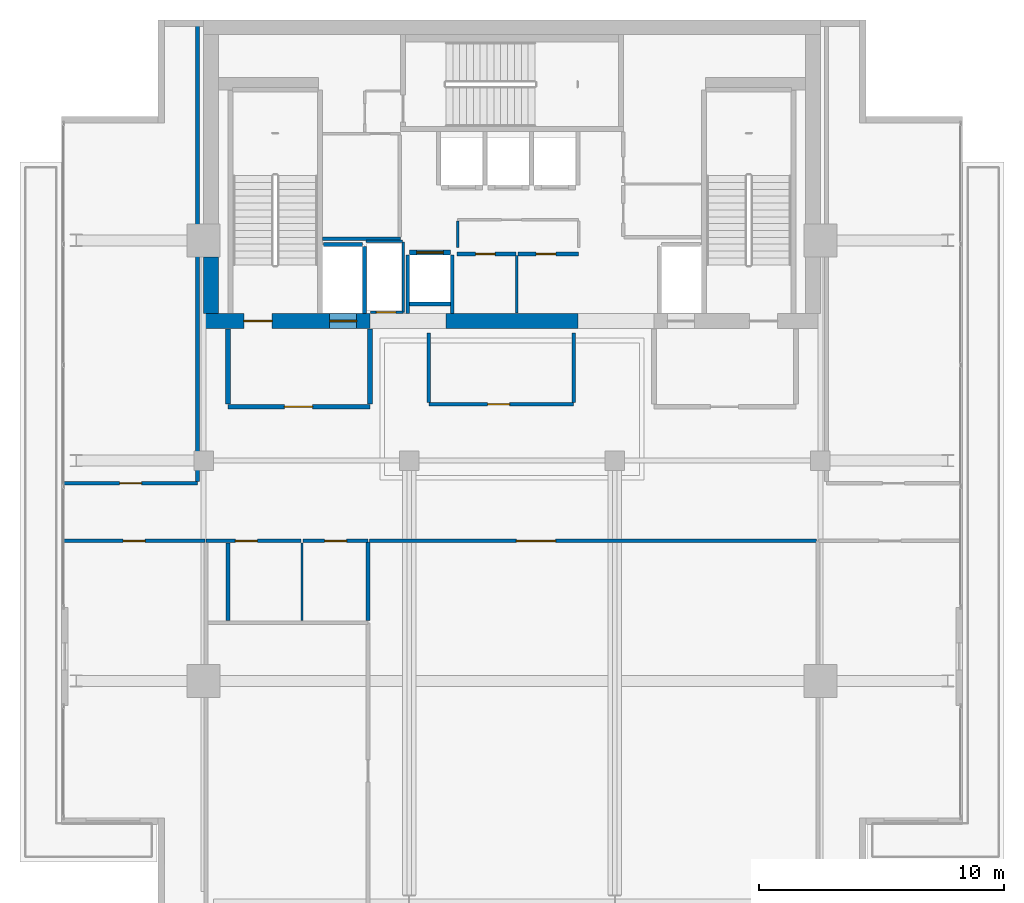
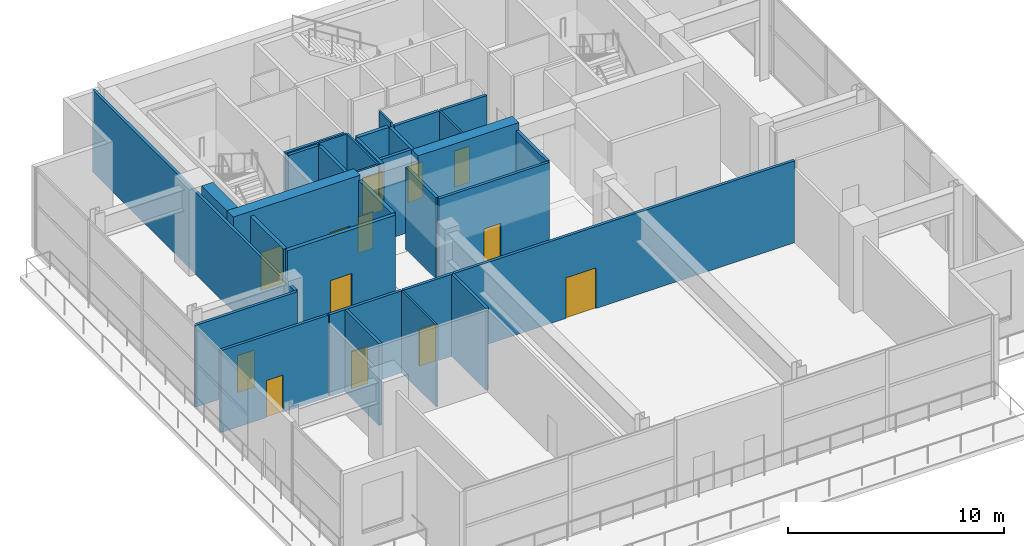
# One storey, part 16 of 22: 32 walls, 13 doors, 13 openings.
"""IFC4 building model written with IfcOpenShell, lengths in metres."""

from ifc_helpers import new_model, si_unit, direction, frame, frame_2d, origin, place, context, subcontext, project, spatial, rectangle, extrude, material, layer, layer_set, type_object, element, fill, save


model = new_model("IFC4")

# Units and contexts
model_context = context("Model", 3, precision=1e-05, world=origin(), true_north=direction((0.0, 1.0)))
body_context = subcontext(model_context, "Body", "Model", "MODEL_VIEW")
ifc_project = project(units=[si_unit("LENGTHUNIT", "METRE"), si_unit("AREAUNIT", "SQUARE_METRE"), si_unit("VOLUMEUNIT", "CUBIC_METRE"), si_unit("PLANEANGLEUNIT", "RADIAN"), si_unit("MASSUNIT", "GRAM", prefix="KILO")], contexts=[model_context])

# Site, building, storey
site_placement = place(None, origin())
site = spatial("IfcSite", under=ifc_project, at=site_placement, CompositionType="ELEMENT")
building_placement = place(site_placement, origin())
building = spatial("IfcBuilding", under=site, at=building_placement, Name="Maruvema Waterfront Hotel and Observation Tower", CompositionType="ELEMENT")
storey_placement = place(building_placement, frame((0.0, 0.0, 354.199951171875)))
storey = spatial("IfcBuildingStorey", under=building, at=storey_placement, Name="L87", CompositionType="ELEMENT", Elevation=354.199951171875)

# Wall, opening, door
ifc_material_1 = material(Name="Twin-stud acoustic gypsum drywall", Category="gypsum")
ifc_layer_1 = layer(ifc_material_1, 0.14990234375, Name="Acoustic Corridor and Suite Demising Wall 150 mm")
ifc_layer_set_1 = layer_set([ifc_layer_1], Name="Twin-stud acoustic gypsum drywall")
wall_type_1 = type_object("IfcWallType", Name="Acoustic Corridor and Suite Demising Wall 150 mm", PredefinedType="PARTITIONING", material=ifc_layer_set_1)
wall_1_placement = place(storey_placement, frame((35.56005859375, 44.43994140625, 0.0), z_axis=(0.0, 0.0, 1.0), x_axis=(1.0, 0.0, 0.0)))
wall_1 = element("IfcWall", 1, at=wall_1_placement, inside=storey, type_object=wall_type_1, Name="L87 L87 Core AV Wall 013", PredefinedType="PARTITIONING", context=body_context, shape_type="SweptSolid", body=[
    extrude(rectangle(XDim=2.39990234375, YDim=0.14990234375, at=frame_2d((1.199951171875, 0.0))), origin(), (0.0, 0.0, 1.0), 4.64013671875),
])
opening_1_placement = place(wall_1_placement, frame((0.75, 0.0, 0.0)))
opening_1 = element("IfcOpeningElement", 2, at=opening_1_placement, cuts=wall_1, Name="Opening DR-080", PredefinedType="OPENING", context=body_context, shape_type="SweptSolid", body=[
    extrude(rectangle(XDim=0.800048828125, YDim=2.050048828125, at=frame_2d((0.39990234375, 1.02490234375))), frame((0.0, 0.0849609375, 0.0), z_axis=(0.0, -1.0, 0.0), x_axis=(1.0, 0.0, 0.0)), (0.0, 0.0, 1.0), 0.169921875),
])
ifc_material_2 = material(Name="Powder-coated steel access leaf", Category="steel")
door_type_1 = type_object("IfcDoorType", Name="Riser and Service Cupboard Door 800x2050 mm", OperationType="NOTDEFINED", PredefinedType="DOOR", material=ifc_material_2)
door_1_placement = place(opening_1_placement, origin())
door_1 = element("IfcDoor", 3, at=door_1_placement, inside=storey, type_object=door_type_1, Name="L87 AV Closet Door", OperationType="SINGLE_SWING_RIGHT", OverallHeight=2.050048828125, OverallWidth=0.800048828125, PredefinedType="DOOR", context=body_context, shape_type="SweptSolid", body=[
    extrude(rectangle(XDim=0.800048828125, YDim=2.050048828125, at=frame_2d((0.39990234375, 1.02490234375))), frame((0.0, 0.02490234375, 0.0), z_axis=(0.0, -1.0, 0.0), x_axis=(1.0, 0.0, 0.0)), (0.0, 0.0, 1.0), 0.050048828125),
])
fill(opening_1, door_1)

wall_2_placement = place(storey_placement, frame((38.0400390625, 44.43994140625, 0.0), z_axis=(0.0, 0.0, 1.0), x_axis=(1.0, 0.0, 0.0)))
wall_2 = element("IfcWall", 4, at=wall_2_placement, inside=storey, type_object=wall_type_1, Name="L87 L87 Core Docent Wall 014", PredefinedType="PARTITIONING", context=body_context, shape_type="SweptSolid", body=[
    extrude(rectangle(XDim=2.47998046875, YDim=0.14990234375, at=frame_2d((1.239990234375, 0.0))), origin(), (0.0, 0.0, 1.0), 4.64013671875),
])
opening_2_placement = place(wall_2_placement, frame((0.75, 0.0, 0.0)))
opening_2 = element("IfcOpeningElement", 5, at=opening_2_placement, cuts=wall_2, Name="Opening DR-080", PredefinedType="OPENING", context=body_context, shape_type="SweptSolid", body=[
    extrude(rectangle(XDim=0.800048828125, YDim=2.050048828125, at=frame_2d((0.39990234375, 1.02490234375))), frame((0.0, 0.0849609375, 0.0), z_axis=(0.0, -1.0, 0.0), x_axis=(1.0, 0.0, 0.0)), (0.0, 0.0, 1.0), 0.169921875),
])
door_2_placement = place(opening_2_placement, origin())
door_2 = element("IfcDoor", 6, at=door_2_placement, inside=storey, type_object=door_type_1, Name="L87 Docent Store Door", OperationType="SINGLE_SWING_LEFT", OverallHeight=2.050048828125, OverallWidth=0.800048828125, PredefinedType="DOOR", context=body_context, shape_type="SweptSolid", body=[
    extrude(rectangle(XDim=0.800048828125, YDim=2.050048828125, at=frame_2d((0.39990234375, 1.02490234375))), frame((0.0, 0.02490234375, 0.0), z_axis=(0.0, -1.0, 0.0), x_axis=(1.0, 0.0, 0.0)), (0.0, 0.0, 1.0), 0.050048828125),
])
fill(opening_2, door_2)

# Wall
wall_3_placement = place(storey_placement, frame((30.06005859375, 45.06005859375, 0.0), z_axis=(0.0, 0.0, 1.0), x_axis=(1.0, 0.0, 0.0)))
element("IfcWall", 7, at=wall_3_placement, inside=storey, type_object=wall_type_1, Name="L87 Freed B1 South Wall 016", PredefinedType="PARTITIONING", context=body_context, shape_type="SweptSolid", body=[
    extrude(rectangle(XDim=3.179931640625, YDim=0.14990234375, at=frame_2d((1.58984375, 0.0))), origin(), (0.0, 0.0, 1.0), 4.64013671875),
])

# Wall, opening, door
wall_4_placement = place(storey_placement, frame((34.39990234375, 38.300048828125, 0.0), z_axis=(0.0, 0.0, 1.0), x_axis=(1.0, 0.0, 0.0)))
wall_4 = element("IfcWall", 8, at=wall_4_placement, inside=storey, type_object=wall_type_1, Name="L87 L87 Core Apron South 025", PredefinedType="PARTITIONING", context=body_context, shape_type="SweptSolid", body=[
    extrude(rectangle(XDim=5.920166015625, YDim=0.14990234375, at=frame_2d((2.9599609375, 0.0))), origin(), (0.0, 0.0, 1.0), 4.64013671875),
])
opening_3_placement = place(wall_4_placement, frame((2.39990234375, 0.0, 0.0)))
opening_3 = element("IfcOpeningElement", 9, at=opening_3_placement, cuts=wall_4, Name="Opening DR-090", PredefinedType="OPENING", context=body_context, shape_type="SweptSolid", body=[
    extrude(rectangle(XDim=0.89990234375, YDim=2.10009765625, at=frame_2d((0.449951171875, 1.050048828125))), frame((0.0, 0.0849609375, 0.0), z_axis=(0.0, -1.0, 0.0), x_axis=(1.0, 0.0, 0.0)), (0.0, 0.0, 1.0), 0.169921875),
])
ifc_material_3 = material(Name="Solid-core lacquered timber leaf", Category="wood")
door_type_2 = type_object("IfcDoorType", Name="Accessible Toilet and Room Door 900x2100 mm", OperationType="NOTDEFINED", PredefinedType="DOOR", material=ifc_material_3)
door_3_placement = place(opening_3_placement, frame((0.89990234375, 0.0, 0.0), z_axis=(0.0, 0.0, 1.0), x_axis=(-1.0, 0.0, 0.0)))
door_3 = element("IfcDoor", 10, at=door_3_placement, inside=storey, type_object=door_type_2, Name="L87 Observation Cloakroom Door", OperationType="SINGLE_SWING_RIGHT", OverallHeight=2.10009765625, OverallWidth=0.89990234375, PredefinedType="DOOR", context=body_context, shape_type="SweptSolid", body=[
    extrude(rectangle(XDim=0.89990234375, YDim=2.10009765625, at=frame_2d((0.449951171875, 1.050048828125))), frame((0.0, 0.02490234375, 0.0), z_axis=(0.0, -1.0, 0.0), x_axis=(1.0, 0.0, 0.0)), (0.0, 0.0, 1.0), 0.050048828125),
])
fill(opening_3, door_3)

# Walls
for number, where, z_axis, x_axis, name in (
    (11, (34.39990234375, 38.3798828125, 0.0), (0.0, 0.0, 1.0), (0.0, 1.0, 0.0), "L87 L87 Core Apron West 026"),
    (12, (40.320068359375, 38.3798828125, 0.0), (0.0, 0.0, 1.0), (0.0, 1.0, 0.0), "L87 L87 Core Apron East 027"),
):
    element("IfcWall", number, at=place(storey_placement, frame(where, z_axis=z_axis, x_axis=x_axis)), inside=storey, type_object=wall_type_1, Name=name, PredefinedType="PARTITIONING", context=body_context, shape_type="SweptSolid", body=[
        extrude(rectangle(XDim=2.840087890625, YDim=0.14990234375, at=frame_2d((1.419921875, 0.0))), origin(), (0.0, 0.0, 1.0), 4.64013671875),
    ])

# Wall, opening, door
wall_5_placement = place(storey_placement, frame((25.300048828125, 32.719970703125, 0.0), z_axis=(0.0, 0.0, 1.0), x_axis=(1.0, 0.0, 0.0)))
wall_5 = element("IfcWall", 13, at=wall_5_placement, inside=storey, type_object=wall_type_1, Name="L87 L87 Public WC North 028", PredefinedType="PARTITIONING", context=body_context, shape_type="SweptSolid", body=[
    extrude(rectangle(XDim=3.8798828125, YDim=0.14990234375, at=frame_2d((1.93994140625, 0.0))), origin(), (0.0, 0.0, 1.0), 4.64013671875),
])
opening_4_placement = place(wall_5_placement, frame((1.199951171875, 0.0, 0.0)))
opening_4 = element("IfcOpeningElement", 14, at=opening_4_placement, cuts=wall_5, Name="Opening DR-090", PredefinedType="OPENING", context=body_context, shape_type="SweptSolid", body=[
    extrude(rectangle(XDim=0.89990234375, YDim=2.10009765625, at=frame_2d((0.449951171875, 1.050048828125))), frame((0.0, 0.0849609375, 0.0), z_axis=(0.0, -1.0, 0.0), x_axis=(1.0, 0.0, 0.0)), (0.0, 0.0, 1.0), 0.169921875),
])
door_4_placement = place(opening_4_placement, origin())
door_4 = element("IfcDoor", 15, at=door_4_placement, inside=storey, type_object=door_type_2, Name="L87 Public Toilet Door", OperationType="SINGLE_SWING_LEFT", OverallHeight=2.10009765625, OverallWidth=0.89990234375, PredefinedType="DOOR", context=body_context, shape_type="SweptSolid", body=[
    extrude(rectangle(XDim=0.89990234375, YDim=2.10009765625, at=frame_2d((0.449951171875, 1.050048828125))), frame((0.0, 0.02490234375, 0.0), z_axis=(0.0, -1.0, 0.0), x_axis=(1.0, 0.0, 0.0)), (0.0, 0.0, 1.0), 0.050048828125),
])
fill(opening_4, door_4)

wall_6_placement = place(storey_placement, frame((29.260009765625, 32.719970703125, 0.0), z_axis=(0.0, 0.0, 1.0), x_axis=(1.0, 0.0, 0.0)))
wall_6 = element("IfcWall", 16, at=wall_6_placement, inside=storey, type_object=wall_type_1, Name="L87 L87 Acc WC North 029", PredefinedType="PARTITIONING", context=body_context, shape_type="SweptSolid", body=[
    extrude(rectangle(XDim=2.659912109375, YDim=0.14990234375, at=frame_2d((1.330078125, 0.0))), origin(), (0.0, 0.0, 1.0), 4.64013671875),
])
opening_5_placement = place(wall_6_placement, frame((0.8798828125, 0.0, 0.0)))
opening_5 = element("IfcOpeningElement", 17, at=opening_5_placement, cuts=wall_6, Name="Opening DR-090", PredefinedType="OPENING", context=body_context, shape_type="SweptSolid", body=[
    extrude(rectangle(XDim=0.89990234375, YDim=2.10009765625, at=frame_2d((0.449951171875, 1.050048828125))), frame((0.0, 0.0849609375, 0.0), z_axis=(0.0, -1.0, 0.0), x_axis=(1.0, 0.0, 0.0)), (0.0, 0.0, 1.0), 0.169921875),
])
door_5_placement = place(opening_5_placement, origin())
door_5 = element("IfcDoor", 18, at=door_5_placement, inside=storey, type_object=door_type_2, Name="L87 Accessible WC Door", OperationType="SINGLE_SWING_RIGHT", OverallHeight=2.10009765625, OverallWidth=0.89990234375, PredefinedType="DOOR", context=body_context, shape_type="SweptSolid", body=[
    extrude(rectangle(XDim=0.89990234375, YDim=2.10009765625, at=frame_2d((0.449951171875, 1.050048828125))), frame((0.0, 0.02490234375, 0.0), z_axis=(0.0, -1.0, 0.0), x_axis=(1.0, 0.0, 0.0)), (0.0, 0.0, 1.0), 0.050048828125),
])
fill(opening_5, door_5)

# Walls
wall_7_placement = place(storey_placement, frame((26.199951171875, 29.4599609375, 0.0), z_axis=(0.0, 0.0, 1.0), x_axis=(0.0, 1.0, 0.0)))
element("IfcWall", 19, at=wall_7_placement, inside=storey, type_object=wall_type_1, Name="L87 L87 WC West 031", PredefinedType="PARTITIONING", context=body_context, shape_type="SweptSolid", body=[
    extrude(rectangle(XDim=3.179931640625, YDim=0.14990234375, at=frame_2d((1.58984375, 0.0))), origin(), (0.0, 0.0, 1.0), 4.64013671875),
])
wall_8_placement = place(storey_placement, frame((31.919921875, 29.4599609375, 0.0), z_axis=(0.0, 0.0, 1.0), x_axis=(0.0, 1.0, 0.0)))
element("IfcWall", 20, at=wall_8_placement, inside=storey, type_object=wall_type_1, Name="L87 L87 WC East 033", PredefinedType="PARTITIONING", context=body_context, shape_type="SweptSolid", body=[
    extrude(rectangle(XDim=3.219970703125, YDim=0.14990234375, at=frame_2d((1.60986328125, 0.0))), origin(), (0.0, 0.0, 1.0), 4.64013671875),
])

# Wall, opening, door
wall_9_placement = place(storey_placement, frame((31.97998046875, 32.719970703125, 0.0), z_axis=(0.0, 0.0, 1.0), x_axis=(1.0, 0.0, 0.0)))
wall_9 = element("IfcWall", 21, at=wall_9_placement, inside=storey, type_object=wall_type_1, Name="L87 L87 Obs North 034", PredefinedType="PARTITIONING", context=body_context, shape_type="SweptSolid", body=[
    extrude(rectangle(XDim=18.27001953125, YDim=0.14990234375, at=frame_2d((9.135009765625, 0.0))), origin(), (0.0, 0.0, 1.0), 4.64013671875),
])
opening_6_placement = place(wall_9_placement, frame((6.0, 0.0, 0.0)))
opening_6 = element("IfcOpeningElement", 22, at=opening_6_placement, cuts=wall_9, Name="Opening DR-160", PredefinedType="OPENING", context=body_context, shape_type="SweptSolid", body=[
    extrude(rectangle(XDim=1.60009765625, YDim=2.300048828125, at=frame_2d((0.800048828125, 1.14990234375))), frame((0.0, 0.0849609375, 0.0), z_axis=(0.0, -1.0, 0.0), x_axis=(1.0, 0.0, 0.0)), (0.0, 0.0, 1.0), 0.169921875),
])
ifc_material_4 = material(Name="Acoustic veneered hardwood double leaf", Category="wood")
door_type_3 = type_object("IfcDoorType", Name="Ballroom and Lounge Double Door 1600x2300 mm", OperationType="DOUBLE_DOOR_SINGLE_SWING", PredefinedType="DOOR", material=ifc_material_4)
door_6_placement = place(opening_6_placement, origin())
door_6 = element("IfcDoor", 23, at=door_6_placement, inside=storey, type_object=door_type_3, Name="L87 Lower Observation Door", OperationType="DOUBLE_DOOR_SINGLE_SWING", OverallHeight=2.300048828125, OverallWidth=1.60009765625, PredefinedType="DOOR", context=body_context, shape_type="SweptSolid", body=[
    extrude(rectangle(XDim=1.60009765625, YDim=2.300048828125, at=frame_2d((0.800048828125, 1.14990234375))), frame((0.0, 0.02490234375, 0.0), z_axis=(0.0, -1.0, 0.0), x_axis=(1.0, 0.0, 0.0)), (0.0, 0.0, 1.0), 0.050048828125),
])
fill(opening_6, door_6)

wall_10_placement = place(storey_placement, frame((19.47998046875, 32.719970703125, 0.0), z_axis=(0.0, 0.0, 1.0), x_axis=(1.0, 0.0, 0.0)))
wall_10 = element("IfcWall", 24, at=wall_10_placement, inside=storey, type_object=wall_type_1, Name="L87 L87 Viewing North 038", PredefinedType="PARTITIONING", context=body_context, shape_type="SweptSolid", body=[
    extrude(rectangle(XDim=5.77001953125, YDim=0.14990234375, at=frame_2d((2.885009765625, 0.0))), origin(), (0.0, 0.0, 1.0), 4.64013671875),
])
opening_7_placement = place(wall_10_placement, frame((2.43505859375, 0.0, 0.0)))
opening_7 = element("IfcOpeningElement", 25, at=opening_7_placement, cuts=wall_10, Name="Opening DR-090", PredefinedType="OPENING", context=body_context, shape_type="SweptSolid", body=[
    extrude(rectangle(XDim=0.89990234375, YDim=2.10009765625, at=frame_2d((0.449951171875, 1.050048828125))), frame((0.0, 0.0849609375, 0.0), z_axis=(0.0, -1.0, 0.0), x_axis=(1.0, 0.0, 0.0)), (0.0, 0.0, 1.0), 0.169921875),
])
door_7_placement = place(opening_7_placement, origin())
door_7 = element("IfcDoor", 26, at=door_7_placement, inside=storey, type_object=door_type_2, Name="L87 Viewing Lounge Door", OperationType="SINGLE_SWING_RIGHT", OverallHeight=2.10009765625, OverallWidth=0.89990234375, PredefinedType="DOOR", context=body_context, shape_type="SweptSolid", body=[
    extrude(rectangle(XDim=0.89990234375, YDim=2.10009765625, at=frame_2d((0.449951171875, 1.050048828125))), frame((0.0, 0.02490234375, 0.0), z_axis=(0.0, -1.0, 0.0), x_axis=(1.0, 0.0, 0.0)), (0.0, 0.0, 1.0), 0.050048828125),
])
fill(opening_7, door_7)

wall_11_placement = place(storey_placement, frame((19.47998046875, 35.080078125, 0.0), z_axis=(0.0, 0.0, 1.0), x_axis=(1.0, 0.0, 0.0)))
wall_11 = element("IfcWall", 27, at=wall_11_placement, inside=storey, type_object=wall_type_1, Name="L87 L87 Media South 040", PredefinedType="PARTITIONING", context=body_context, shape_type="SweptSolid", body=[
    extrude(rectangle(XDim=5.469970703125, YDim=0.14990234375, at=frame_2d((2.73486328125, 0.0))), origin(), (0.0, 0.0, 1.0), 4.64013671875),
])
opening_8_placement = place(wall_11_placement, frame((2.284912109375, 0.0, 0.0)))
opening_8 = element("IfcOpeningElement", 28, at=opening_8_placement, cuts=wall_11, Name="Opening DR-090", PredefinedType="OPENING", context=body_context, shape_type="SweptSolid", body=[
    extrude(rectangle(XDim=0.89990234375, YDim=2.10009765625, at=frame_2d((0.449951171875, 1.050048828125))), frame((0.0, 0.0849609375, 0.0), z_axis=(0.0, -1.0, 0.0), x_axis=(1.0, 0.0, 0.0)), (0.0, 0.0, 1.0), 0.169921875),
])
door_8_placement = place(opening_8_placement, frame((0.89990234375, 0.0, 0.0), z_axis=(0.0, 0.0, 1.0), x_axis=(-1.0, 0.0, 0.0)))
door_8 = element("IfcDoor", 29, at=door_8_placement, inside=storey, type_object=door_type_2, Name="L87 Media Room Door", OperationType="SINGLE_SWING_RIGHT", OverallHeight=2.10009765625, OverallWidth=0.89990234375, PredefinedType="DOOR", context=body_context, shape_type="SweptSolid", body=[
    extrude(rectangle(XDim=0.89990234375, YDim=2.10009765625, at=frame_2d((0.449951171875, 1.050048828125))), frame((0.0, 0.02490234375, 0.0), z_axis=(0.0, -1.0, 0.0), x_axis=(1.0, 0.0, 0.0)), (0.0, 0.0, 1.0), 0.050048828125),
])
fill(opening_8, door_8)

# Wall
wall_12_placement = place(storey_placement, frame((24.949951171875, 35.139892578125, 0.0), z_axis=(0.0, 0.0, 1.0), x_axis=(0.0, 1.0, 0.0)))
element("IfcWall", 30, at=wall_12_placement, inside=storey, type_object=wall_type_1, Name="L87 L87 Media East 041", PredefinedType="PARTITIONING", context=body_context, shape_type="SweptSolid", body=[
    extrude(rectangle(XDim=18.780029296875, YDim=0.14990234375, at=frame_2d((9.39013671875, 0.0))), origin(), (0.0, 0.0, 1.0), 4.64013671875),
])

# Wall, opening, door
ifc_material_5 = material(Name="Precast concrete C45/55", Category="concrete")
ifc_layer_2 = layer(ifc_material_5, 0.199951171875, Name="Core Shaft and Stairwell Enclosure Wall 200 mm")
ifc_layer_set_2 = layer_set([ifc_layer_2], Name="Precast concrete C45/55")
wall_type_2 = type_object("IfcWallType", Name="Core Shaft and Stairwell Enclosure Wall 200 mm", PredefinedType="SOLIDWALL", material=ifc_layer_set_2)
wall_13_placement = place(storey_placement, frame((33.610107421875, 44.5, 0.0), z_axis=(0.0, 0.0, 1.0), x_axis=(1.0, 0.0, 0.0)))
wall_13 = element("IfcWall", 31, at=wall_13_placement, inside=storey, type_object=wall_type_2, Name="L87 Lift LF-15 Hoistway Front Wall", PredefinedType="SOLIDWALL", context=body_context, shape_type="SweptSolid", body=[
    extrude(rectangle(XDim=1.679931640625, YDim=0.199951171875, at=frame_2d((0.83984375, 0.0))), origin(), (0.0, 0.0, 1.0), 4.64013671875),
])
opening_9_placement = place(wall_13_placement, frame((0.2900390625, 0.0, 0.0)))
opening_9 = element("IfcOpeningElement", 32, at=opening_9_placement, cuts=wall_13, Name="Opening LD-02", PredefinedType="OPENING", context=body_context, shape_type="SweptSolid", body=[
    extrude(rectangle(XDim=1.10009765625, YDim=2.199951171875, at=frame_2d((0.550048828125, 1.10009765625))), frame((0.0, 0.10986328125, 0.0), z_axis=(0.0, -1.0, 0.0), x_axis=(1.0, 0.0, 0.0)), (0.0, 0.0, 1.0), 0.219970703125),
])
ifc_material_6 = material(Name="Brushed stainless steel Grade 316", Category="steel")
door_type_4 = type_object("IfcDoorType", Name="Shuttle Lift Sliding Landing Door 1100x2200 mm", OperationType="SLIDING_TO_RIGHT", PredefinedType="DOOR", material=ifc_material_6)
door_9_placement = place(opening_9_placement, origin())
door_9 = element("IfcDoor", 33, at=door_9_placement, inside=storey, type_object=door_type_4, Name="L87 Lift LF-15 Sliding Landing Door", OperationType="SLIDING_TO_RIGHT", OverallHeight=2.199951171875, OverallWidth=1.10009765625, PredefinedType="DOOR", context=body_context, shape_type="SweptSolid", body=[
    extrude(rectangle(XDim=1.10009765625, YDim=2.199951171875, at=frame_2d((0.550048828125, 1.10009765625))), frame((0.0, 0.02490234375, 0.0), z_axis=(0.0, -1.0, 0.0), x_axis=(1.0, 0.0, 0.0)), (0.0, 0.0, 1.0), 0.050048828125),
])
fill(opening_9, door_9)

# Wall, openings, doors
ifc_material_7 = material(Name="Concrete C60/75", Category="concrete")
ifc_layer_3 = layer(ifc_material_7, 0.60009765625, Name="Core Shear Wall 600 mm")
ifc_layer_set_3 = layer_set([ifc_layer_3], Name="Concrete C60/75")
wall_type_3 = type_object("IfcWallType", Name="Core Shear Wall 600 mm", PredefinedType="SHEAR", material=ifc_layer_set_3)
wall_14_placement = place(storey_placement, frame((25.199951171875, 41.699951171875, 0.0), z_axis=(0.0, 0.0, 1.0), x_axis=(1.0, 0.0, 0.0)))
wall_14 = element("IfcWall", 34, at=wall_14_placement, inside=storey, type_object=wall_type_3, Name="L87 South-West Core Shear Wall", PredefinedType="SHEAR", context=body_context, shape_type="SweptSolid", body=[
    extrude(rectangle(XDim=6.800048828125, YDim=0.60009765625, at=frame_2d((3.39990234375, 0.0))), origin(), (0.0, 0.0, 1.0), 4.900146484375),
])
opening_10_placement = place(wall_14_placement, frame((1.64990234375, 0.0, 0.0)))
opening_10 = element("IfcOpeningElement", 35, at=opening_10_placement, cuts=wall_14, Name="Opening SD-01", PredefinedType="OPENING", context=body_context, shape_type="SweptSolid", body=[
    extrude(rectangle(XDim=1.14990234375, YDim=2.14990234375, at=frame_2d((0.574951171875, 1.074951171875))), frame((0.0, 0.31005859375, 0.0), z_axis=(0.0, -1.0, 0.0), x_axis=(1.0, 0.0, 0.0)), (0.0, 0.0, 1.0), 0.6201171875),
])
opening_11_placement = place(wall_14_placement, frame((5.14990234375, 0.0, 0.0)))
opening_11 = element("IfcOpeningElement", 36, at=opening_11_placement, cuts=wall_14, Name="Opening LD-03", PredefinedType="OPENING", context=body_context, shape_type="SweptSolid", body=[
    extrude(rectangle(XDim=1.10009765625, YDim=2.199951171875, at=frame_2d((0.550048828125, 1.10009765625))), frame((0.0, 0.31005859375, 0.0), z_axis=(0.0, -1.0, 0.0), x_axis=(1.0, 0.0, 0.0)), (0.0, 0.0, 1.0), 0.6201171875),
])
ifc_material_8 = material(Name="Fire-rated galvanised steel leaf", Category="steel")
door_type_5 = type_object("IfcDoorType", Name="Exit Stair Fire Door 1150x2150 mm", OperationType="NOTDEFINED", PredefinedType="DOOR", material=ifc_material_8)
door_10_placement = place(opening_10_placement, origin())
door_10 = element("IfcDoor", 37, at=door_10_placement, inside=storey, type_object=door_type_5, Name="L87 Exit Stair ST-01 Fire Door", OperationType="SINGLE_SWING_LEFT", OverallHeight=2.14990234375, OverallWidth=1.14990234375, PredefinedType="DOOR", context=body_context, shape_type="SweptSolid", body=[
    extrude(rectangle(XDim=1.14990234375, YDim=2.14990234375, at=frame_2d((0.574951171875, 1.074951171875))), frame((0.0, 0.02490234375, 0.0), z_axis=(0.0, -1.0, 0.0), x_axis=(1.0, 0.0, 0.0)), (0.0, 0.0, 1.0), 0.050048828125),
])
fill(opening_10, door_10)
ifc_material_9 = material(Name="Brushed stainless steel Grade 316", Category="steel")
door_type_6 = type_object("IfcDoorType", Name="Firefighting Lift Sliding Landing Door 1100x2200 mm", OperationType="SLIDING_TO_LEFT", PredefinedType="DOOR", material=ifc_material_9)
door_11_placement = place(opening_11_placement, frame((1.10009765625, 0.0, 0.0), z_axis=(0.0, 0.0, 1.0), x_axis=(-1.0, 0.0, 0.0)))
door_11 = element("IfcDoor", 38, at=door_11_placement, inside=storey, type_object=door_type_6, Name="L87 Firefighting Lift FL-01 Landing Door", OperationType="SLIDING_TO_LEFT", OverallHeight=2.199951171875, OverallWidth=1.10009765625, PredefinedType="DOOR", context=body_context, shape_type="SweptSolid", body=[
    extrude(rectangle(XDim=1.10009765625, YDim=2.199951171875, at=frame_2d((0.550048828125, 1.10009765625))), frame((0.0, 0.02490234375, 0.0), z_axis=(0.0, -1.0, 0.0), x_axis=(1.0, 0.0, 0.0)), (0.0, 0.0, 1.0), 0.050048828125),
])
fill(opening_11, door_11)

# Walls
wall_15_placement = place(storey_placement, frame((35.10009765625, 41.699951171875, 0.0), z_axis=(0.0, 0.0, 1.0), x_axis=(1.0, 0.0, 0.0)))
element("IfcWall", 39, at=wall_15_placement, inside=storey, type_object=wall_type_3, Name="L87 South-Central Core Shear Wall", PredefinedType="SHEAR", context=body_context, shape_type="SweptSolid", body=[
    extrude(rectangle(XDim=5.39990234375, YDim=0.60009765625, at=frame_2d((2.699951171875, 0.0))), origin(), (0.0, 0.0, 1.0), 4.900146484375),
])
wall_16_placement = place(storey_placement, frame((25.5, 42.0, 0.0), z_axis=(0.0, 0.0, 1.0), x_axis=(0.0, 1.0, 0.0)))
element("IfcWall", 40, at=wall_16_placement, inside=storey, type_object=wall_type_3, Name="L87 West-South Core Shear Wall", PredefinedType="SHEAR", context=body_context, shape_type="SweptSolid", body=[
    extrude(rectangle(XDim=2.324951171875, YDim=0.60009765625, at=frame_2d((1.16259765625, 0.0))), origin(), (0.0, 0.0, 1.0), 4.900146484375),
])

# Wall, opening, door
ifc_material_10 = material(Name="Moisture-resistant cement-board drywall", Category="gypsum")
ifc_layer_4 = layer(ifc_material_10, 0.10009765625, Name="En-Suite Moisture-Resistant Partition 100 mm")
ifc_layer_set_4 = layer_set([ifc_layer_4], Name="Moisture-resistant cement-board drywall")
wall_type_4 = type_object("IfcWallType", Name="En-Suite Moisture-Resistant Partition 100 mm", PredefinedType="PARTITIONING", material=ifc_layer_set_4)
wall_17_placement = place(storey_placement, frame((32.02001953125, 42.06005859375, 0.0), z_axis=(0.0, 0.0, 1.0), x_axis=(1.0, 0.0, 0.0)))
wall_17 = element("IfcWall", 41, at=wall_17_placement, inside=storey, type_object=wall_type_4, Name="L87 Telecom Riser South Wall 007", PredefinedType="PARTITIONING", context=body_context, shape_type="SweptSolid", body=[
    extrude(rectangle(XDim=1.320068359375, YDim=0.10009765625, at=frame_2d((0.66015625, 0.0))), origin(), (0.0, 0.0, 1.0), 4.64013671875),
])
opening_12_placement = place(wall_17_placement, frame((0.239990234375, 0.0, 0.0)))
opening_12 = element("IfcOpeningElement", 42, at=opening_12_placement, cuts=wall_17, Name="Opening DR-080", PredefinedType="OPENING", context=body_context, shape_type="SweptSolid", body=[
    extrude(rectangle(XDim=0.800048828125, YDim=2.050048828125, at=frame_2d((0.39990234375, 1.02490234375))), frame((0.0, 0.06005859375, 0.0), z_axis=(0.0, -1.0, 0.0), x_axis=(1.0, 0.0, 0.0)), (0.0, 0.0, 1.0), 0.1201171875),
])
door_12_placement = place(opening_12_placement, frame((0.800048828125, 0.0, 0.0), z_axis=(0.0, 0.0, 1.0), x_axis=(-1.0, 0.0, 0.0)))
door_12 = element("IfcDoor", 43, at=door_12_placement, inside=storey, type_object=door_type_1, Name="L87 Telecom Riser Door", OperationType="SINGLE_SWING_RIGHT", OverallHeight=2.050048828125, OverallWidth=0.800048828125, PredefinedType="DOOR", context=body_context, shape_type="SweptSolid", body=[
    extrude(rectangle(XDim=0.800048828125, YDim=2.050048828125, at=frame_2d((0.39990234375, 1.02490234375))), frame((0.0, 0.02490234375, 0.0), z_axis=(0.0, -1.0, 0.0), x_axis=(1.0, 0.0, 0.0)), (0.0, 0.0, 1.0), 0.050048828125),
])
fill(opening_12, door_12)

# Walls
wall_18_placement = place(storey_placement, frame((31.840087890625, 44.9599609375, 0.0), z_axis=(0.0, 0.0, 1.0), x_axis=(1.0, 0.0, 0.0)))
element("IfcWall", 44, at=wall_18_placement, inside=storey, type_object=wall_type_4, Name="L87 Telecom Riser North Wall 008", PredefinedType="PARTITIONING", context=body_context, shape_type="SweptSolid", body=[
    extrude(rectangle(XDim=1.47998046875, YDim=0.10009765625, at=frame_2d((0.739990234375, 0.0))), origin(), (0.0, 0.0, 1.0), 4.64013671875),
])
wall_19_placement = place(storey_placement, frame((33.360107421875, 42.06005859375, 0.0), z_axis=(0.0, 0.0, 1.0), x_axis=(0.0, 1.0, 0.0)))
element("IfcWall", 45, at=wall_19_placement, inside=storey, type_object=wall_type_4, Name="L87 Telecom Riser East Wall 009", PredefinedType="PARTITIONING", context=body_context, shape_type="SweptSolid", body=[
    extrude(rectangle(XDim=2.8798828125, YDim=0.10009765625, at=frame_2d((1.43994140625, 0.0))), origin(), (0.0, 0.0, 1.0), 4.64013671875),
])
wall_20_placement = place(storey_placement, frame((35.580078125, 44.699951171875, 0.0), z_axis=(0.0, 0.0, 1.0), x_axis=(0.0, 1.0, 0.0)))
element("IfcWall", 46, at=wall_20_placement, inside=storey, type_object=wall_type_4, Name="L87 Core Closet K0 West 011", PredefinedType="PARTITIONING", context=body_context, shape_type="SweptSolid", body=[
    extrude(rectangle(XDim=1.080078125, YDim=0.10009765625, at=frame_2d((0.5400390625, 0.0))), origin(), (0.0, 0.0, 1.0), 4.64013671875),
])
wall_21_placement = place(storey_placement, frame((38.0, 42.0400390625, 0.0), z_axis=(0.0, 0.0, 1.0), x_axis=(0.0, 1.0, 0.0)))
element("IfcWall", 47, at=wall_21_placement, inside=storey, type_object=wall_type_4, Name="L87 L87 Core B3 Split 015", PredefinedType="PARTITIONING", context=body_context, shape_type="SweptSolid", body=[
    extrude(rectangle(XDim=2.33984375, YDim=0.10009765625, at=frame_2d((1.169921875, 0.0))), origin(), (0.0, 0.0, 1.0), 4.64013671875),
])
wall_22_placement = place(storey_placement, frame((29.219970703125, 29.4599609375, 0.0), z_axis=(0.0, 0.0, 1.0), x_axis=(0.0, 1.0, 0.0)))
element("IfcWall", 48, at=wall_22_placement, inside=storey, type_object=wall_type_4, Name="L87 L87 WC Split 032", PredefinedType="PARTITIONING", context=body_context, shape_type="SweptSolid", body=[
    extrude(rectangle(XDim=3.179931640625, YDim=0.10009765625, at=frame_2d((1.58984375, 0.0))), origin(), (0.0, 0.0, 1.0), 4.64013671875),
])

# Wall, opening, door
ifc_material_11 = material(Name="Autoclaved cellular concrete blockwork", Category="masonry")
ifc_layer_5 = layer(ifc_material_11, 0.199951171875, Name="Fire Compartment Masonry Wall 200 mm")
ifc_layer_set_5 = layer_set([ifc_layer_5], Name="Autoclaved cellular concrete blockwork")
wall_type_5 = type_object("IfcWallType", Name="Fire Compartment Masonry Wall 200 mm", PredefinedType="PARTITIONING", material=ifc_layer_set_5)
wall_23_placement = place(storey_placement, frame((26.199951171875, 38.199951171875, 0.0), z_axis=(0.0, 0.0, 1.0), x_axis=(1.0, 0.0, 0.0)))
wall_23 = element("IfcWall", 49, at=wall_23_placement, inside=storey, type_object=wall_type_5, Name="L87 FFL West South Wall 001", PredefinedType="PARTITIONING", context=body_context, shape_type="SweptSolid", body=[
    extrude(rectangle(XDim=5.800048828125, YDim=0.199951171875, at=frame_2d((2.89990234375, 0.0))), origin(), (0.0, 0.0, 1.0), 4.64013671875),
])
opening_13_placement = place(wall_23_placement, frame((2.300048828125, 0.0, 0.0)))
opening_13 = element("IfcOpeningElement", 50, at=opening_13_placement, cuts=wall_23, Name="Opening FD-115", PredefinedType="OPENING", context=body_context, shape_type="SweptSolid", body=[
    extrude(rectangle(XDim=1.14990234375, YDim=2.14990234375, at=frame_2d((0.574951171875, 1.074951171875))), frame((0.0, 0.10986328125, 0.0), z_axis=(0.0, -1.0, 0.0), x_axis=(1.0, 0.0, 0.0)), (0.0, 0.0, 1.0), 0.219970703125),
])
ifc_material_12 = material(Name="Fire-rated galvanised steel and vision glass", Category="steel")
door_type_7 = type_object("IfcDoorType", Name="Firefighting Lobby Fire Door 1150x2150 mm", OperationType="NOTDEFINED", PredefinedType="DOOR", material=ifc_material_12)
door_13_placement = place(opening_13_placement, frame((1.14990234375, 0.0, 0.0), z_axis=(0.0, 0.0, 1.0), x_axis=(-1.0, 0.0, 0.0)))
door_13 = element("IfcDoor", 51, at=door_13_placement, inside=storey, type_object=door_type_7, Name="L87 Firefighting Lobby West Door", OperationType="SINGLE_SWING_RIGHT", OverallHeight=2.14990234375, OverallWidth=1.14990234375, PredefinedType="DOOR", context=body_context, shape_type="SweptSolid", body=[
    extrude(rectangle(XDim=1.14990234375, YDim=2.14990234375, at=frame_2d((0.574951171875, 1.074951171875))), frame((0.0, 0.02490234375, 0.0), z_axis=(0.0, -1.0, 0.0), x_axis=(1.0, 0.0, 0.0)), (0.0, 0.0, 1.0), 0.050048828125),
])
fill(opening_13, door_13)

# Walls
for number, where, z_axis, x_axis, name in (
    (52, (26.199951171875, 38.31005859375, 0.0), (0.0, 0.0, 1.0), (0.0, 1.0, 0.0), "L87 FFL West West Wall 002"),
    (53, (32.0, 38.31005859375, 0.0), (0.0, 0.0, 1.0), (0.0, 1.0, 0.0), "L87 FFL West East Wall 003"),
):
    element("IfcWall", number, at=place(storey_placement, frame(where, z_axis=z_axis, x_axis=x_axis)), inside=storey, type_object=wall_type_5, Name=name, PredefinedType="PARTITIONING", context=body_context, shape_type="SweptSolid", body=[
        extrude(rectangle(XDim=3.06982421875, YDim=0.199951171875, at=frame_2d((1.534912109375, 0.0))), origin(), (0.0, 0.0, 1.0), 4.64013671875),
    ])
ifc_material_13 = material(Name="Precast concrete C45/55", Category="concrete")
ifc_layer_6 = layer(ifc_material_13, 0.159912109375, Name="Lift Hoistway Divider Wall 160 mm")
ifc_layer_set_6 = layer_set([ifc_layer_6], Name="Precast concrete C45/55")
wall_type_6 = type_object("IfcWallType", Name="Lift Hoistway Divider Wall 160 mm", PredefinedType="SOLIDWALL", material=ifc_layer_set_6)
wall_24_placement = place(storey_placement, frame((30.10009765625, 44.830078125, 0.0), z_axis=(0.0, 0.0, 1.0), x_axis=(1.0, 0.0, 0.0)))
element("IfcWall", 54, at=wall_24_placement, inside=storey, type_object=wall_type_6, Name="L87 Lift FL-01 Rear Hoistway Wall", PredefinedType="SOLIDWALL", context=body_context, shape_type="SweptSolid", body=[
    extrude(rectangle(XDim=1.599853515625, YDim=0.159912109375, at=frame_2d((0.7998046875, 0.0))), origin(), (0.0, 0.0, 1.0), 4.64013671875),
])
wall_25_placement = place(storey_placement, frame((31.780029296875, 42.0, 0.0), z_axis=(0.0, 0.0, 1.0), x_axis=(0.0, 1.0, 0.0)))
element("IfcWall", 55, at=wall_25_placement, inside=storey, type_object=wall_type_6, Name="L87 Lift FL-01 Inner Hoistway Wall", PredefinedType="SOLIDWALL", context=body_context, shape_type="SweptSolid", body=[
    extrude(rectangle(XDim=2.739990234375, YDim=0.159912109375, at=frame_2d((1.3701171875, 0.0))), origin(), (0.0, 0.0, 1.0), 4.64013671875),
])
for number, where, z_axis, x_axis, name in (
    (56, (33.5400390625, 42.0, 0.0), (0.0, 0.0, 1.0), (0.0, 1.0, 0.0), "L87 Hoistway Divider Wall"),
    (57, (35.360107421875, 42.0, 0.0), (0.0, 0.0, 1.0), (0.0, 1.0, 0.0), "L87 Hoistway Divider Wall"),
):
    element("IfcWall", number, at=place(storey_placement, frame(where, z_axis=z_axis, x_axis=x_axis)), inside=storey, type_object=wall_type_6, Name=name, PredefinedType="SOLIDWALL", context=body_context, shape_type="SweptSolid", body=[
        extrude(rectangle(XDim=2.39990234375, YDim=0.159912109375, at=frame_2d((1.199951171875, 0.0))), origin(), (0.0, 0.0, 1.0), 4.64013671875),
    ])
wall_26_placement = place(storey_placement, frame((33.6201171875, 42.39990234375, 0.0), z_axis=(0.0, 0.0, 1.0), x_axis=(1.0, 0.0, 0.0)))
element("IfcWall", 58, at=wall_26_placement, inside=storey, type_object=wall_type_6, Name="L87 Hoistway Divider Wall", PredefinedType="SOLIDWALL", context=body_context, shape_type="SweptSolid", body=[
    extrude(rectangle(XDim=1.659912109375, YDim=0.159912109375, at=frame_2d((0.830078125, 0.0))), origin(), (0.0, 0.0, 1.0), 4.64013671875),
])

save(model, "model.ifc")
